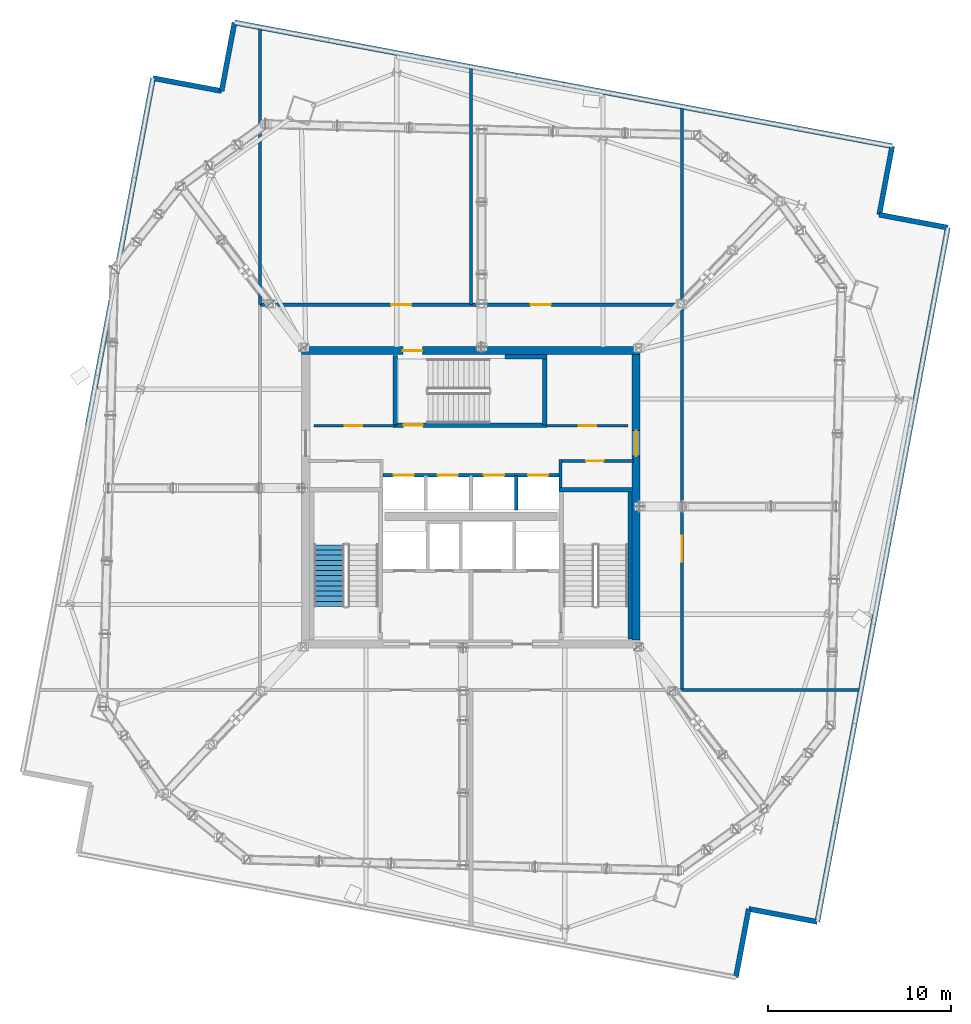
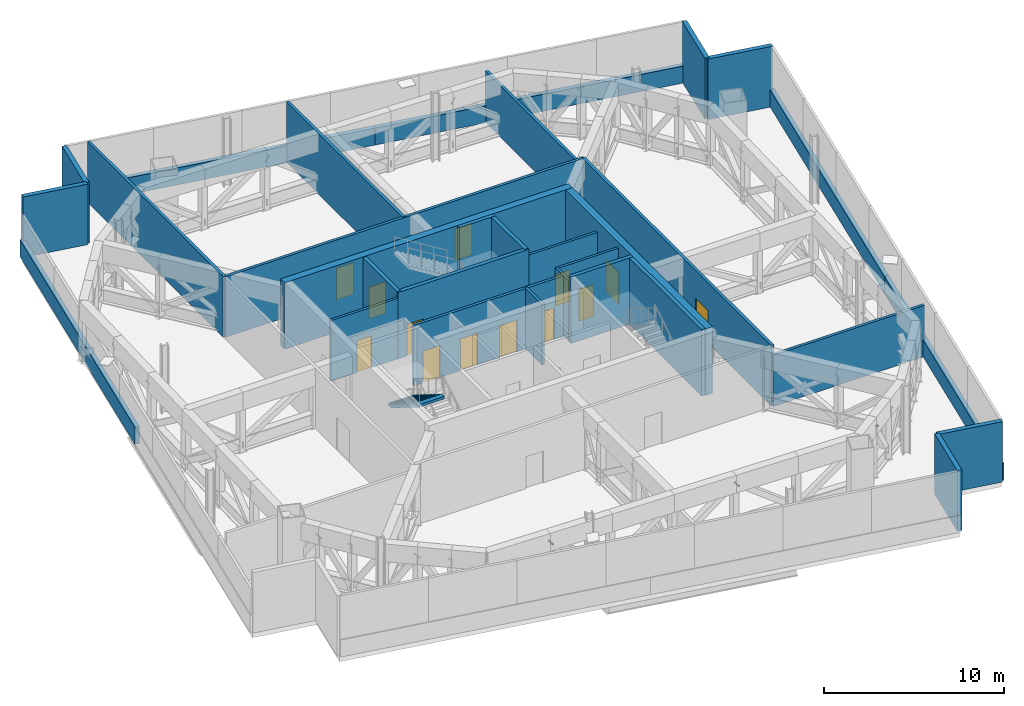
# One storey, part 11 of 15: 31 walls, 13 doors, 1 stair flight, 13 openings, 1 element without a shape of its own.
"""IFC4 building model written with IfcOpenShell, lengths in metres."""

from ifc_helpers import new_model, si_unit, direction, frame, frame_2d, origin, place, context, subcontext, project, spatial, polyline, rectangle, outline, extrude, material, layer, layer_set, type_object, element, fill, aggregate, save


model = new_model("IFC4")

# Units and contexts
model_context = context("Model", 3, precision=1e-05, world=origin(), true_north=direction((0.0, 1.0)))
body_context = subcontext(model_context, "Body", "Model", "MODEL_VIEW")
ifc_project = project(units=[si_unit("LENGTHUNIT", "METRE"), si_unit("AREAUNIT", "SQUARE_METRE"), si_unit("VOLUMEUNIT", "CUBIC_METRE"), si_unit("PLANEANGLEUNIT", "RADIAN"), si_unit("MASSUNIT", "GRAM", prefix="KILO")], contexts=[model_context])

# Site, building, storey
site_placement = place(None, origin())
site = spatial("IfcSite", under=ifc_project, at=site_placement, CompositionType="ELEMENT")
building_placement = place(site_placement, origin())
building = spatial("IfcBuilding", under=site, at=building_placement, Name="Haldenkirk Collegiate Tower", CompositionType="ELEMENT")
storey_placement = place(building_placement, frame((0.0, 0.0, 293.699951171875)))
storey = spatial("IfcBuildingStorey", under=building, at=storey_placement, Name="L74", CompositionType="ELEMENT", Elevation=293.699951171875)

# Wall, opening, door
ifc_material_1 = material(Name="Concrete f'c 55 MPa", Category="concrete")
ifc_layer_1 = layer(ifc_material_1, 0.449951171875)
ifc_layer_set_1 = layer_set([ifc_layer_1], Name="Concrete f'c 55 MPa")
wall_type_1 = type_object("IfcWallType", Name="WL-CORE-450", PredefinedType="SHEAR", material=ifc_layer_set_1)
wall_1_placement = place(storey_placement, frame((26.77490234375, 34.0, 0.0), z_axis=(0.0, 0.0, 1.0), x_axis=(1.0, 0.0, 0.0)))
wall_1 = element("IfcWall", 1, at=wall_1_placement, inside=storey, type_object=wall_type_1, Name="L74 central core shear wall N", PredefinedType="SHEAR", context=body_context, shape_type="SweptSolid", body=[
    extrude(rectangle(XDim=18.4501953125, YDim=0.449951171875, at=frame_2d((9.22509765625, 0.0))), origin(), (0.0, 0.0, 1.0), 4.5),
])
opening_1_placement = place(wall_1_placement, frame((5.52001953125, 0.0, 0.0)))
opening_1 = element("IfcOpeningElement", 2, at=opening_1_placement, cuts=wall_1, Name="Opening D-01", PredefinedType="OPENING", context=body_context, shape_type="SweptSolid", body=[
    extrude(rectangle(XDim=1.050048828125, YDim=2.14990234375, at=frame_2d((0.52490234375, 1.074951171875))), frame((0.0, 0.23486328125, 0.0), z_axis=(0.0, -1.0, 0.0), x_axis=(1.0, 0.0, 0.0)), (0.0, 0.0, 1.0), 0.469970703125),
])
ifc_material_2 = material(Name="Galvanized fire-rated hollow steel door", Category="steel")
ifc_layer_2 = layer(ifc_material_2, 0.06005859375)
ifc_layer_set_2 = layer_set([ifc_layer_2], Name="Galvanized fire-rated hollow steel door")
door_type_1 = type_object("IfcDoorType", Name="DR-STAIR-FD90-1050", OperationType="NOTDEFINED", PredefinedType="DOOR", material=ifc_layer_set_2)
door_1_placement = place(opening_1_placement, origin())
door_1 = element("IfcDoor", 3, at=door_1_placement, inside=storey, type_object=door_type_1, Name="L74 north plant corridor Stair 3 door", OperationType="SINGLE_SWING_LEFT", OverallHeight=2.14990234375, OverallWidth=1.050048828125, PredefinedType="DOOR", context=body_context, shape_type="SweptSolid", body=[
    extrude(rectangle(XDim=1.050048828125, YDim=2.14990234375, at=frame_2d((0.52490234375, 1.074951171875))), frame((0.0, 0.02490234375, 0.0), z_axis=(0.0, -1.0, 0.0), x_axis=(1.0, 0.0, 0.0)), (0.0, 0.0, 1.0), 0.050048828125),
])
fill(opening_1, door_1)

wall_2_placement = place(storey_placement, frame((45.0, 18.22509765625, 0.0), z_axis=(0.0, 0.0, 1.0), x_axis=(0.0, 1.0, 0.0)))
wall_2 = element("IfcWall", 4, at=wall_2_placement, inside=storey, type_object=wall_type_1, Name="L74 central core shear wall E", PredefinedType="SHEAR", context=body_context, shape_type="SweptSolid", body=[
    extrude(rectangle(XDim=15.5498046875, YDim=0.449951171875, at=frame_2d((7.77490234375, 0.0))), origin(), (0.0, 0.0, 1.0), 4.5),
])
opening_2_placement = place(wall_2_placement, frame((10.014892578125, 0.0, 0.0)))
opening_2 = element("IfcOpeningElement", 5, at=opening_2_placement, cuts=wall_2, Name="Opening D-03", PredefinedType="OPENING", context=body_context, shape_type="SweptSolid", body=[
    extrude(rectangle(XDim=1.39990234375, YDim=2.199951171875, at=frame_2d((0.699951171875, 1.10009765625))), frame((0.0, 0.23486328125, 0.0), z_axis=(0.0, -1.0, 0.0), x_axis=(1.0, 0.0, 0.0)), (0.0, 0.0, 1.0), 0.469970703125),
])
ifc_layer_3 = layer(ifc_material_2, 0.06005859375)
ifc_layer_set_3 = layer_set([ifc_layer_3], Name="Galvanized fire-rated hollow steel door")
door_type_2 = type_object("IfcDoorType", Name="DR-LOBBY-FD90-1400", OperationType="NOTDEFINED", PredefinedType="DOOR", material=ifc_layer_set_3)
door_2_placement = place(opening_2_placement, origin())
door_2 = element("IfcDoor", 6, at=door_2_placement, inside=storey, type_object=door_type_2, Name="L74 east lift lobby portal", OperationType="DOUBLE_DOOR_SINGLE_SWING", OverallHeight=2.199951171875, OverallWidth=1.39990234375, PredefinedType="DOOR", context=body_context, shape_type="SweptSolid", body=[
    extrude(rectangle(XDim=1.39990234375, YDim=2.199951171875, at=frame_2d((0.699951171875, 1.10009765625))), frame((0.0, 0.02490234375, 0.0), z_axis=(0.0, -1.0, 0.0), x_axis=(1.0, 0.0, 0.0)), (0.0, 0.0, 1.0), 0.050048828125),
])
fill(opening_2, door_2)

# Walls
ifc_material_3 = material(Name="Precast concrete f'c 40 MPa", Category="concrete")
ifc_layer_4 = layer(ifc_material_3, 0.280029296875)
ifc_layer_set_4 = layer_set([ifc_layer_4], Name="Precast concrete f'c 40 MPa")
wall_type_2 = type_object("IfcWallType", Name="WL-EXT-PLT-280", PredefinedType="STANDARD", material=ifc_layer_set_4)
for number, where, z_axis, x_axis, name in (
    (7, (61.989501953125, 40.7001953125, 0.0), (0.0, 0.0, 1.0), (-0.184810744713, -0.982774129003, 0.0), "L74 plant room precast spandrel 01A"),
    (8, (58.431884765625, 21.78173828125, 0.0), (0.0, 0.0, 1.0), (-0.184810744713, -0.982774129003, 0.0), "L74 plant room precast spandrel 01B"),
):
    element("IfcWall", number, at=place(storey_placement, frame(where, z_axis=z_axis, x_axis=x_axis)), inside=storey, type_object=wall_type_2, Name=name, PredefinedType="STANDARD", context=body_context, shape_type="SweptSolid", body=[
        extrude(rectangle(XDim=19.25, YDim=0.280029296875, at=frame_2d((9.625, 0.0))), origin(), (0.0, 0.0, 1.0), 1.150146484375),
    ])
for number, where, z_axis, x_axis, name in (
    (9, (58.2548828125, 41.40234375, 0.0), (0.0, 0.0, 1.0), (0.982781152247, -0.184773393075, 0.0), "L74 plant corner precast wall 02"),
    (10, (58.95703125, 45.136962890625, 0.0), (0.0, 0.0, 1.0), (-0.184773393075, -0.982781152247, 0.0), "L74 plant corner precast wall 03"),
):
    element("IfcWall", number, at=place(storey_placement, frame(where, z_axis=z_axis, x_axis=x_axis)), inside=storey, type_object=wall_type_2, Name=name, PredefinedType="STANDARD", context=body_context, shape_type="SweptSolid", body=[
        extrude(rectangle(XDim=3.800048828125, YDim=0.280029296875, at=frame_2d((1.89990234375, 0.0))), origin(), (0.0, 0.0, 1.0), 4.10009765625),
    ])
for number, where, z_axis, x_axis, name in (
    (11, (23.1103515625, 51.8779296875, 0.0), (0.0, 0.0, 1.0), (0.98277293252, -0.184817107178, 0.0), "L74 plant room precast spandrel 04A"),
    (12, (41.03369140625, 48.50732421875, 0.0), (0.0, 0.0, 1.0), (0.982775363915, -0.184804177662, 0.0), "L74 plant room precast spandrel 04B"),
):
    element("IfcWall", number, at=place(storey_placement, frame(where, z_axis=z_axis, x_axis=x_axis)), inside=storey, type_object=wall_type_2, Name=name, PredefinedType="STANDARD", context=body_context, shape_type="SweptSolid", body=[
        extrude(rectangle(XDim=18.237548828125, YDim=0.280029296875, at=frame_2d((9.11865234375, 0.0))), origin(), (0.0, 0.0, 1.0), 1.150146484375),
    ])
for number, where, z_axis, x_axis, name in (
    (13, (22.408203125, 48.143310546875, 0.0), (0.0, 0.0, 1.0), (0.184773393075, 0.982781152247, 0.0), "L74 plant corner precast wall 05"),
    (14, (18.673583984375, 48.845703125, 0.0), (0.0, 0.0, 1.0), (0.982769483759, -0.184835445171, 0.0), "L74 plant corner precast wall 06"),
):
    element("IfcWall", number, at=place(storey_placement, frame(where, z_axis=z_axis, x_axis=x_axis)), inside=storey, type_object=wall_type_2, Name=name, PredefinedType="STANDARD", context=body_context, shape_type="SweptSolid", body=[
        extrude(rectangle(XDim=3.800048828125, YDim=0.280029296875, at=frame_2d((1.89990234375, 0.0))), origin(), (0.0, 0.0, 1.0), 4.10009765625),
    ])
wall_3_placement = place(storey_placement, frame((15.1162109375, 29.92724609375, 0.0), z_axis=(0.0, 0.0, 1.0), x_axis=(0.184798495251, 0.982776432437, 0.0)))
element("IfcWall", 15, at=wall_3_placement, inside=storey, type_object=wall_type_2, Name="L74 plant room precast spandrel 07B", PredefinedType="STANDARD", context=body_context, shape_type="SweptSolid", body=[
    extrude(rectangle(XDim=19.25, YDim=0.280029296875, at=frame_2d((9.625, 0.0))), origin(), (0.0, 0.0, 1.0), 1.150146484375),
])
for number, where, z_axis, x_axis, name in (
    (16, (51.1396484375, 3.565673828125, 0.0), (0.0, 0.0, 1.0), (-0.184773393075, -0.982781152247, 0.0), "L74 plant corner precast wall 11"),
    (17, (54.874267578125, 2.86328125, 0.0), (0.0, 0.0, 1.0), (-0.982769483759, 0.184835445171, 0.0), "L74 plant corner precast wall 12"),
):
    element("IfcWall", number, at=place(storey_placement, frame(where, z_axis=z_axis, x_axis=x_axis)), inside=storey, type_object=wall_type_2, Name=name, PredefinedType="STANDARD", context=body_context, shape_type="SweptSolid", body=[
        extrude(rectangle(XDim=3.800048828125, YDim=0.280029296875, at=frame_2d((1.89990234375, 0.0))), origin(), (0.0, 0.0, 1.0), 4.10009765625),
    ])

# Wall, opening, door
ifc_material_4 = material(Name="Acoustic fire-rated gypsum partition", Category="concrete")
ifc_layer_5 = layer(ifc_material_4, 0.159912109375)
ifc_layer_set_5 = layer_set([ifc_layer_5], Name="Acoustic fire-rated gypsum partition")
wall_type_3 = type_object("IfcWallType", Name="WL-INT-CORR-160", PredefinedType="PARTITIONING", material=ifc_layer_set_5)
wall_4_placement = place(storey_placement, frame((40.800048828125, 27.97998046875, 0.0), z_axis=(0.0, 0.0, 1.0), x_axis=(1.0, 0.0, 0.0)))
wall_4 = element("IfcWall", 18, at=wall_4_placement, inside=storey, type_object=wall_type_3, Name="L74 interior partition IW-L74-VCSE-N", PredefinedType="PARTITIONING", context=body_context, shape_type="SweptSolid", body=[
    extrude(rectangle(XDim=4.050048828125, YDim=0.159912109375, at=frame_2d((2.02490234375, 0.0))), origin(), (0.0, 0.0, 1.0), 4.10009765625),
])
opening_3_placement = place(wall_4_placement, frame((1.47509765625, 0.0, 0.0)))
opening_3 = element("IfcOpeningElement", 19, at=opening_3_placement, cuts=wall_4, Name="Opening D-10", PredefinedType="OPENING", context=body_context, shape_type="SweptSolid", body=[
    extrude(rectangle(XDim=0.949951171875, YDim=2.14990234375, at=frame_2d((0.47509765625, 1.074951171875))), frame((0.0, 0.08984375, 0.0), z_axis=(0.0, -1.0, 0.0), x_axis=(1.0, 0.0, 0.0)), (0.0, 0.0, 1.0), 0.179931640625),
])
ifc_material_5 = material(Name="Solid-core architectural oak fire door", Category="wood")
ifc_layer_6 = layer(ifc_material_5, 0.06005859375)
ifc_layer_set_6 = layer_set([ifc_layer_6], Name="Solid-core architectural oak fire door")
door_type_3 = type_object("IfcDoorType", Name="DR-INT-FD60-950", OperationType="NOTDEFINED", PredefinedType="DOOR", material=ifc_layer_set_6)
door_3_placement = place(opening_3_placement, origin())
door_3 = element("IfcDoor", 20, at=door_3_placement, inside=storey, type_object=door_type_3, Name="L74 core mechanical store door", OperationType="SINGLE_SWING_RIGHT", OverallHeight=2.14990234375, OverallWidth=0.949951171875, PredefinedType="DOOR", context=body_context, shape_type="SweptSolid", body=[
    extrude(rectangle(XDim=0.949951171875, YDim=2.14990234375, at=frame_2d((0.47509765625, 1.074951171875))), frame((0.0, 0.02490234375, 0.0), z_axis=(0.0, -1.0, 0.0), x_axis=(1.0, 0.0, 0.0)), (0.0, 0.0, 1.0), 0.050048828125),
])
fill(opening_3, door_3)

# Wall
wall_5_placement = place(storey_placement, frame((40.8798828125, 26.5400390625, 0.0), z_axis=(0.0, 0.0, 1.0), x_axis=(0.0, 1.0, 0.0)))
element("IfcWall", 21, at=wall_5_placement, inside=storey, type_object=wall_type_3, Name="L74 interior partition IW-L74-VCSE-W", PredefinedType="PARTITIONING", context=body_context, shape_type="SweptSolid", body=[
    extrude(rectangle(XDim=1.510009765625, YDim=0.159912109375, at=frame_2d((0.7548828125, 0.0))), origin(), (0.0, 0.0, 1.0), 4.10009765625),
])

# Wall, opening, door
wall_6_placement = place(storey_placement, frame((27.449951171875, 29.89990234375, 0.0), z_axis=(0.0, 0.0, 1.0), x_axis=(1.0, 0.0, 0.0)))
wall_6 = element("IfcWall", 22, at=wall_6_placement, inside=storey, type_object=wall_type_3, Name="L74 interior partition IW-L74-PLS", PredefinedType="PARTITIONING", context=body_context, shape_type="SweptSolid", body=[
    extrude(rectangle(XDim=4.429931640625, YDim=0.159912109375, at=frame_2d((2.21484375, 0.0))), origin(), (0.0, 0.0, 1.0), 4.10009765625),
])
opening_4_placement = place(wall_6_placement, frame((1.675048828125, 0.0, 0.0)))
opening_4 = element("IfcOpeningElement", 23, at=opening_4_placement, cuts=wall_6, Name="Opening D-10", PredefinedType="OPENING", context=body_context, shape_type="SweptSolid", body=[
    extrude(rectangle(XDim=0.949951171875, YDim=2.14990234375, at=frame_2d((0.47509765625, 1.074951171875))), frame((0.0, 0.08984375, 0.0), z_axis=(0.0, -1.0, 0.0), x_axis=(1.0, 0.0, 0.0)), (0.0, 0.0, 1.0), 0.179931640625),
])
door_4_placement = place(opening_4_placement, origin())
door_4 = element("IfcDoor", 24, at=door_4_placement, inside=storey, type_object=door_type_3, Name="L74 reclaimed plant store door", OperationType="SINGLE_SWING_LEFT", OverallHeight=2.14990234375, OverallWidth=0.949951171875, PredefinedType="DOOR", context=body_context, shape_type="SweptSolid", body=[
    extrude(rectangle(XDim=0.949951171875, YDim=2.14990234375, at=frame_2d((0.47509765625, 1.074951171875))), frame((0.0, 0.02490234375, 0.0), z_axis=(0.0, -1.0, 0.0), x_axis=(1.0, 0.0, 0.0)), (0.0, 0.0, 1.0), 0.050048828125),
])
fill(opening_4, door_4)

wall_7_placement = place(storey_placement, frame((40.1201171875, 29.89990234375, 0.0), z_axis=(0.0, 0.0, 1.0), x_axis=(1.0, 0.0, 0.0)))
wall_7 = element("IfcWall", 25, at=wall_7_placement, inside=storey, type_object=wall_type_3, Name="L74 interior partition IW-L74-PMS", PredefinedType="PARTITIONING", context=body_context, shape_type="SweptSolid", body=[
    extrude(rectangle(XDim=4.429931640625, YDim=0.159912109375, at=frame_2d((2.21484375, 0.0))), origin(), (0.0, 0.0, 1.0), 4.10009765625),
])
opening_5_placement = place(wall_7_placement, frame((1.7548828125, 0.0, 0.0)))
opening_5 = element("IfcOpeningElement", 26, at=opening_5_placement, cuts=wall_7, Name="Opening D-10", PredefinedType="OPENING", context=body_context, shape_type="SweptSolid", body=[
    extrude(rectangle(XDim=0.949951171875, YDim=2.14990234375, at=frame_2d((0.47509765625, 1.074951171875))), frame((0.0, 0.08984375, 0.0), z_axis=(0.0, -1.0, 0.0), x_axis=(1.0, 0.0, 0.0)), (0.0, 0.0, 1.0), 0.179931640625),
])
door_5_placement = place(opening_5_placement, origin())
door_5 = element("IfcDoor", 27, at=door_5_placement, inside=storey, type_object=door_type_3, Name="L74 east plant store door", OperationType="SINGLE_SWING_RIGHT", OverallHeight=2.14990234375, OverallWidth=0.949951171875, PredefinedType="DOOR", context=body_context, shape_type="SweptSolid", body=[
    extrude(rectangle(XDim=0.949951171875, YDim=2.14990234375, at=frame_2d((0.47509765625, 1.074951171875))), frame((0.0, 0.02490234375, 0.0), z_axis=(0.0, -1.0, 0.0), x_axis=(1.0, 0.0, 0.0)), (0.0, 0.0, 1.0), 0.050048828125),
])
fill(opening_5, door_5)

# Wall, openings, doors
ifc_material_6 = material(Name="Fire-rated gypsum shaftboard assembly", Category="concrete")
ifc_layer_7 = layer(ifc_material_6, 0.179931640625)
ifc_layer_set_7 = layer_set([ifc_layer_7], Name="Fire-rated gypsum shaftboard assembly")
wall_type_4 = type_object("IfcWallType", Name="WL-INT-SHAFT-180", PredefinedType="PARTITIONING", material=ifc_layer_set_7)
wall_8_placement = place(storey_placement, frame((31.199951171875, 27.199951171875, 0.0), z_axis=(0.0, 0.0, 1.0), x_axis=(1.0, 0.0, 0.0)))
wall_8 = element("IfcWall", 28, at=wall_8_placement, inside=storey, type_object=wall_type_4, Name="L74 interior partition IW-L74-PHN", PredefinedType="PARTITIONING", context=body_context, shape_type="SweptSolid", body=[
    extrude(rectangle(XDim=9.60009765625, YDim=0.179931640625, at=frame_2d((4.800048828125, 0.0))), origin(), (0.0, 0.0, 1.0), 4.10009765625),
])
opening_6_placement = place(wall_8_placement, frame((0.590087890625, 0.0, 0.0)))
opening_6 = element("IfcOpeningElement", 29, at=opening_6_placement, cuts=wall_8, Name="Opening LD-11", PredefinedType="OPENING", context=body_context, shape_type="SweptSolid", body=[
    extrude(rectangle(XDim=1.10009765625, YDim=2.14990234375, at=frame_2d((0.550048828125, 1.074951171875))), frame((0.0, 0.099853515625, 0.0), z_axis=(0.0, -1.0, 0.0), x_axis=(1.0, 0.0, 0.0)), (0.0, 0.0, 1.0), 0.199951171875),
])
opening_7_placement = place(wall_8_placement, frame((2.989990234375, 0.0, 0.0)))
opening_7 = element("IfcOpeningElement", 30, at=opening_7_placement, cuts=wall_8, Name="Opening LD-11", PredefinedType="OPENING", context=body_context, shape_type="SweptSolid", body=[
    extrude(rectangle(XDim=1.10009765625, YDim=2.14990234375, at=frame_2d((0.550048828125, 1.074951171875))), frame((0.0, 0.099853515625, 0.0), z_axis=(0.0, -1.0, 0.0), x_axis=(1.0, 0.0, 0.0)), (0.0, 0.0, 1.0), 0.199951171875),
])
opening_8_placement = place(wall_8_placement, frame((5.510009765625, 0.0, 0.0)))
opening_8 = element("IfcOpeningElement", 31, at=opening_8_placement, cuts=wall_8, Name="Opening LD-11", PredefinedType="OPENING", context=body_context, shape_type="SweptSolid", body=[
    extrude(rectangle(XDim=1.10009765625, YDim=2.14990234375, at=frame_2d((0.550048828125, 1.074951171875))), frame((0.0, 0.099853515625, 0.0), z_axis=(0.0, -1.0, 0.0), x_axis=(1.0, 0.0, 0.0)), (0.0, 0.0, 1.0), 0.199951171875),
])
opening_9_placement = place(wall_8_placement, frame((7.909912109375, 0.0, 0.0)))
opening_9 = element("IfcOpeningElement", 32, at=opening_9_placement, cuts=wall_8, Name="Opening LD-11", PredefinedType="OPENING", context=body_context, shape_type="SweptSolid", body=[
    extrude(rectangle(XDim=1.10009765625, YDim=2.14990234375, at=frame_2d((0.550048828125, 1.074951171875))), frame((0.0, 0.099853515625, 0.0), z_axis=(0.0, -1.0, 0.0), x_axis=(1.0, 0.0, 0.0)), (0.0, 0.0, 1.0), 0.199951171875),
])
ifc_material_7 = material(Name="Brushed architectural stainless steel", Category="steel")
ifc_layer_8 = layer(ifc_material_7, 0.06005859375)
ifc_layer_set_8 = layer_set([ifc_layer_8], Name="Brushed architectural stainless steel")
door_type_4 = type_object("IfcDoorType", Name="LD-PASS-1100", OperationType="NOTDEFINED", PredefinedType="DOOR", material=ifc_layer_set_8)
door_6_placement = place(opening_6_placement, origin())
door_6 = element("IfcDoor", 33, at=door_6_placement, inside=storey, type_object=door_type_4, Name="L74 Elevator PH1 sliding landing door", OperationType="SLIDING_TO_LEFT", OverallHeight=2.14990234375, OverallWidth=1.10009765625, PredefinedType="DOOR", context=body_context, shape_type="SweptSolid", body=[
    extrude(rectangle(XDim=1.10009765625, YDim=2.14990234375, at=frame_2d((0.550048828125, 1.074951171875))), frame((0.0, 0.02490234375, 0.0), z_axis=(0.0, -1.0, 0.0), x_axis=(1.0, 0.0, 0.0)), (0.0, 0.0, 1.0), 0.050048828125),
])
fill(opening_6, door_6)
door_7_placement = place(opening_7_placement, origin())
door_7 = element("IfcDoor", 34, at=door_7_placement, inside=storey, type_object=door_type_4, Name="L74 Elevator PH2 sliding landing door", OperationType="SLIDING_TO_LEFT", OverallHeight=2.14990234375, OverallWidth=1.10009765625, PredefinedType="DOOR", context=body_context, shape_type="SweptSolid", body=[
    extrude(rectangle(XDim=1.10009765625, YDim=2.14990234375, at=frame_2d((0.550048828125, 1.074951171875))), frame((0.0, 0.02490234375, 0.0), z_axis=(0.0, -1.0, 0.0), x_axis=(1.0, 0.0, 0.0)), (0.0, 0.0, 1.0), 0.050048828125),
])
fill(opening_7, door_7)
door_8_placement = place(opening_8_placement, origin())
door_8 = element("IfcDoor", 35, at=door_8_placement, inside=storey, type_object=door_type_4, Name="L74 Elevator PH3 sliding landing door", OperationType="SLIDING_TO_LEFT", OverallHeight=2.14990234375, OverallWidth=1.10009765625, PredefinedType="DOOR", context=body_context, shape_type="SweptSolid", body=[
    extrude(rectangle(XDim=1.10009765625, YDim=2.14990234375, at=frame_2d((0.550048828125, 1.074951171875))), frame((0.0, 0.02490234375, 0.0), z_axis=(0.0, -1.0, 0.0), x_axis=(1.0, 0.0, 0.0)), (0.0, 0.0, 1.0), 0.050048828125),
])
fill(opening_8, door_8)
door_9_placement = place(opening_9_placement, origin())
door_9 = element("IfcDoor", 36, at=door_9_placement, inside=storey, type_object=door_type_4, Name="L74 Elevator PH4 sliding landing door", OperationType="SLIDING_TO_LEFT", OverallHeight=2.14990234375, OverallWidth=1.10009765625, PredefinedType="DOOR", context=body_context, shape_type="SweptSolid", body=[
    extrude(rectangle(XDim=1.10009765625, YDim=2.14990234375, at=frame_2d((0.550048828125, 1.074951171875))), frame((0.0, 0.02490234375, 0.0), z_axis=(0.0, -1.0, 0.0), x_axis=(1.0, 0.0, 0.0)), (0.0, 0.0, 1.0), 0.050048828125),
])
fill(opening_9, door_9)

# Wall
wall_9_placement = place(storey_placement, frame((38.4599609375, 25.300048828125, 0.0), z_axis=(0.0, 0.0, 1.0), x_axis=(0.0, 1.0, 0.0)))
element("IfcWall", 37, at=wall_9_placement, inside=storey, type_object=wall_type_4, Name="L74 interior partition IW-L74-PHV3", PredefinedType="PARTITIONING", context=body_context, shape_type="SweptSolid", body=[
    extrude(rectangle(XDim=1.89990234375, YDim=0.179931640625, at=frame_2d((0.949951171875, 0.0))), origin(), (0.0, 0.0, 1.0), 4.10009765625),
])

# Wall, openings, doors
wall_10_placement = place(storey_placement, frame((24.5, 36.5, 0.0), z_axis=(0.0, 0.0, 1.0), x_axis=(1.0, 0.0, 0.0)))
wall_10 = element("IfcWall", 38, at=wall_10_placement, inside=storey, type_object=wall_type_4, Name="L74 interior partition IW-L74-CN", PredefinedType="PARTITIONING", context=body_context, shape_type="SweptSolid", body=[
    extrude(rectangle(XDim=23.0, YDim=0.179931640625, at=frame_2d((11.5, 0.0))), origin(), (0.0, 0.0, 1.0), 4.10009765625),
])
opening_10_placement = place(wall_10_placement, frame((7.14990234375, 0.0, 0.0)))
opening_10 = element("IfcOpeningElement", 39, at=opening_10_placement, cuts=wall_10, Name="Opening D-02", PredefinedType="OPENING", context=body_context, shape_type="SweptSolid", body=[
    extrude(rectangle(XDim=1.10009765625, YDim=2.14990234375, at=frame_2d((0.550048828125, 1.074951171875))), frame((0.0, 0.099853515625, 0.0), z_axis=(0.0, -1.0, 0.0), x_axis=(1.0, 0.0, 0.0)), (0.0, 0.0, 1.0), 0.199951171875),
])
opening_11_placement = place(wall_10_placement, frame((14.75, 0.0, 0.0)))
opening_11 = element("IfcOpeningElement", 40, at=opening_11_placement, cuts=wall_10, Name="Opening D-02", PredefinedType="OPENING", context=body_context, shape_type="SweptSolid", body=[
    extrude(rectangle(XDim=1.10009765625, YDim=2.14990234375, at=frame_2d((0.550048828125, 1.074951171875))), frame((0.0, 0.099853515625, 0.0), z_axis=(0.0, -1.0, 0.0), x_axis=(1.0, 0.0, 0.0)), (0.0, 0.0, 1.0), 0.199951171875),
])
ifc_layer_9 = layer(ifc_material_2, 0.06005859375)
ifc_layer_set_9 = layer_set([ifc_layer_9], Name="Galvanized fire-rated hollow steel door")
door_type_5 = type_object("IfcDoorType", Name="DR-STAIR-FD90-1100", OperationType="NOTDEFINED", PredefinedType="DOOR", material=ifc_layer_set_9)
door_10_placement = place(opening_10_placement, origin())
door_10 = element("IfcDoor", 41, at=door_10_placement, inside=storey, type_object=door_type_5, Name="L74 switchgear door", OperationType="SINGLE_SWING_LEFT", OverallHeight=2.14990234375, OverallWidth=1.10009765625, PredefinedType="DOOR", context=body_context, shape_type="SweptSolid", body=[
    extrude(rectangle(XDim=1.10009765625, YDim=2.14990234375, at=frame_2d((0.550048828125, 1.074951171875))), frame((0.0, 0.02490234375, 0.0), z_axis=(0.0, -1.0, 0.0), x_axis=(1.0, 0.0, 0.0)), (0.0, 0.0, 1.0), 0.050048828125),
])
fill(opening_10, door_10)
door_11_placement = place(opening_11_placement, origin())
door_11 = element("IfcDoor", 42, at=door_11_placement, inside=storey, type_object=door_type_5, Name="L74 pump room door", OperationType="SINGLE_SWING_RIGHT", OverallHeight=2.14990234375, OverallWidth=1.10009765625, PredefinedType="DOOR", context=body_context, shape_type="SweptSolid", body=[
    extrude(rectangle(XDim=1.10009765625, YDim=2.14990234375, at=frame_2d((0.550048828125, 1.074951171875))), frame((0.0, 0.02490234375, 0.0), z_axis=(0.0, -1.0, 0.0), x_axis=(1.0, 0.0, 0.0)), (0.0, 0.0, 1.0), 0.050048828125),
])
fill(opening_11, door_11)

# Wall, opening, door
wall_11_placement = place(storey_placement, frame((47.5, 15.5, 0.0), z_axis=(0.0, 0.0, 1.0), x_axis=(0.0, 1.0, 0.0)))
wall_11 = element("IfcWall", 43, at=wall_11_placement, inside=storey, type_object=wall_type_4, Name="L74 interior partition IW-L74-CE", PredefinedType="PARTITIONING", context=body_context, shape_type="SweptSolid", body=[
    extrude(rectangle(XDim=21.0, YDim=0.179931640625, at=frame_2d((10.5, 0.0))), origin(), (0.0, 0.0, 1.0), 4.10009765625),
])
opening_12_placement = place(wall_11_placement, frame((7.0, 0.0, 0.0)))
opening_12 = element("IfcOpeningElement", 44, at=opening_12_placement, cuts=wall_11, Name="Opening D-03", PredefinedType="OPENING", context=body_context, shape_type="SweptSolid", body=[
    extrude(rectangle(XDim=1.39990234375, YDim=2.199951171875, at=frame_2d((0.699951171875, 1.10009765625))), frame((0.0, 0.099853515625, 0.0), z_axis=(0.0, -1.0, 0.0), x_axis=(1.0, 0.0, 0.0)), (0.0, 0.0, 1.0), 0.199951171875),
])
door_12_placement = place(opening_12_placement, origin())
door_12 = element("IfcDoor", 45, at=door_12_placement, inside=storey, type_object=door_type_2, Name="L74 east plant door", OperationType="DOUBLE_DOOR_SINGLE_SWING", OverallHeight=2.199951171875, OverallWidth=1.39990234375, PredefinedType="DOOR", context=body_context, shape_type="SweptSolid", body=[
    extrude(rectangle(XDim=1.39990234375, YDim=2.199951171875, at=frame_2d((0.699951171875, 1.10009765625))), frame((0.0, 0.02490234375, 0.0), z_axis=(0.0, -1.0, 0.0), x_axis=(1.0, 0.0, 0.0)), (0.0, 0.0, 1.0), 0.050048828125),
])
fill(opening_12, door_12)

# Walls
wall_12_placement = place(storey_placement, frame((47.5, 15.5, 0.0), z_axis=(0.0, 0.0, 1.0), x_axis=(1.0, 0.0, 0.0)))
element("IfcWall", 46, at=wall_12_placement, inside=storey, type_object=wall_type_4, Name="L74 interior partition IW-L74-PLTE", PredefinedType="PARTITIONING", context=body_context, shape_type="SweptSolid", body=[
    extrude(rectangle(XDim=9.7099609375, YDim=0.179931640625, at=frame_2d((4.85498046875, 0.0))), origin(), (0.0, 0.0, 1.0), 3.47802734375),
])
wall_13_placement = place(storey_placement, frame((36.0, 36.5, 0.0), z_axis=(0.0, 0.0, 1.0), x_axis=(0.0, 1.0, 0.0)))
element("IfcWall", 47, at=wall_13_placement, inside=storey, type_object=wall_type_4, Name="L74 interior partition IW-L74-PLTN", PredefinedType="PARTITIONING", context=body_context, shape_type="SweptSolid", body=[
    extrude(rectangle(XDim=12.913330078125, YDim=0.179931640625, at=frame_2d((6.45654296875, 0.0))), origin(), (0.0, 0.0, 1.0), 4.10009765625),
])
wall_14_placement = place(storey_placement, frame((24.5, 36.5, 0.0), z_axis=(0.0, 0.0, 1.0), x_axis=(0.0, 1.0, 0.0)))
element("IfcWall", 48, at=wall_14_placement, inside=storey, type_object=wall_type_4, Name="L74 interior partition IW-L74-PLTNW", PredefinedType="PARTITIONING", context=body_context, shape_type="SweptSolid", body=[
    extrude(rectangle(XDim=15.075927734375, YDim=0.179931640625, at=frame_2d((7.5380859375, 0.0))), origin(), (0.0, 0.0, 1.0), 4.10009765625),
])
wall_15_placement = place(storey_placement, frame((47.5, 36.5, 0.0), z_axis=(0.0, 0.0, 1.0), x_axis=(0.0, 1.0, 0.0)))
element("IfcWall", 49, at=wall_15_placement, inside=storey, type_object=wall_type_4, Name="L74 interior partition IW-L74-PLTNE", PredefinedType="PARTITIONING", context=body_context, shape_type="SweptSolid", body=[
    extrude(rectangle(XDim=10.750732421875, YDim=0.179931640625, at=frame_2d((5.37548828125, 0.0))), origin(), (0.0, 0.0, 1.0), 3.47802734375),
])
ifc_layer_10 = layer(ifc_material_1, 0.239990234375)
ifc_layer_set_10 = layer_set([ifc_layer_10], Name="Concrete f'c 55 MPa")
wall_type_5 = type_object("IfcWallType", Name="WL-SHAFT-240", PredefinedType="SHEAR", material=ifc_layer_set_10)
wall_16_placement = place(storey_placement, frame((40.81005859375, 26.419921875, 0.0), z_axis=(0.0, 0.0, 1.0), x_axis=(1.0, 0.0, 0.0)))
element("IfcWall", 50, at=wall_16_placement, inside=storey, type_object=wall_type_5, Name="L74 stair shaft shear wall SW-L74-ST2N", PredefinedType="SHEAR", context=body_context, shape_type="SweptSolid", body=[
    extrude(rectangle(XDim=3.97998046875, YDim=0.239990234375, at=frame_2d((1.989990234375, 0.0))), origin(), (0.0, 0.0, 1.0), 4.5),
])
wall_17_placement = place(storey_placement, frame((44.669921875, 18.280029296875, 0.0), z_axis=(0.0, 0.0, 1.0), x_axis=(0.0, 1.0, 0.0)))
element("IfcWall", 51, at=wall_17_placement, inside=storey, type_object=wall_type_5, Name="L74 stair shaft shear wall SW-L74-ST2E", PredefinedType="SHEAR", context=body_context, shape_type="SweptSolid", body=[
    extrude(rectangle(XDim=8.260009765625, YDim=0.239990234375, at=frame_2d((4.1298828125, 0.0))), origin(), (0.0, 0.0, 1.0), 4.5),
])

# Wall, opening, door
wall_18_placement = place(storey_placement, frame((31.760009765625, 29.929931640625, 0.0), z_axis=(0.0, 0.0, 1.0), x_axis=(1.0, 0.0, 0.0)))
wall_18 = element("IfcWall", 52, at=wall_18_placement, inside=storey, type_object=wall_type_5, Name="L74 stair shaft shear wall SW-L74-ST3S", PredefinedType="SHEAR", context=body_context, shape_type="SweptSolid", body=[
    extrude(rectangle(XDim=8.3798828125, YDim=0.239990234375, at=frame_2d((4.18994140625, 0.0))), origin(), (0.0, 0.0, 1.0), 4.5),
])
opening_13_placement = place(wall_18_placement, frame((0.56494140625, 0.0, 0.0)))
opening_13 = element("IfcOpeningElement", 53, at=opening_13_placement, cuts=wall_18, Name="Opening D-01", PredefinedType="OPENING", context=body_context, shape_type="SweptSolid", body=[
    extrude(rectangle(XDim=1.050048828125, YDim=2.14990234375, at=frame_2d((0.52490234375, 1.074951171875))), frame((0.0, 0.1298828125, 0.0), z_axis=(0.0, -1.0, 0.0), x_axis=(1.0, 0.0, 0.0)), (0.0, 0.0, 1.0), 0.260009765625),
])
door_13_placement = place(opening_13_placement, origin())
door_13 = element("IfcDoor", 54, at=door_13_placement, inside=storey, type_object=door_type_1, Name="L74 lift lobby Stair 3 door", OperationType="SINGLE_SWING_LEFT", OverallHeight=2.14990234375, OverallWidth=1.050048828125, PredefinedType="DOOR", context=body_context, shape_type="SweptSolid", body=[
    extrude(rectangle(XDim=1.050048828125, YDim=2.14990234375, at=frame_2d((0.52490234375, 1.074951171875))), frame((0.0, 0.02490234375, 0.0), z_axis=(0.0, -1.0, 0.0), x_axis=(1.0, 0.0, 0.0)), (0.0, 0.0, 1.0), 0.050048828125),
])
fill(opening_13, door_13)

# Walls
wall_19_placement = place(storey_placement, frame((31.8798828125, 29.929931640625, 0.0), z_axis=(0.0, 0.0, 1.0), x_axis=(0.0, 1.0, 0.0)))
element("IfcWall", 55, at=wall_19_placement, inside=storey, type_object=wall_type_5, Name="L74 stair shaft shear wall SW-L74-ST3W", PredefinedType="SHEAR", context=body_context, shape_type="SweptSolid", body=[
    extrude(rectangle(XDim=3.7900390625, YDim=0.239990234375, at=frame_2d((1.89501953125, 0.0))), origin(), (0.0, 0.0, 1.0), 4.5),
])
wall_20_placement = place(storey_placement, frame((40.02001953125, 29.929931640625, 0.0), z_axis=(0.0, 0.0, 1.0), x_axis=(0.0, 1.0, 0.0)))
element("IfcWall", 56, at=wall_20_placement, inside=storey, type_object=wall_type_5, Name="L74 stair shaft shear wall SW-L74-ST3E", PredefinedType="SHEAR", context=body_context, shape_type="SweptSolid", body=[
    extrude(rectangle(XDim=3.85009765625, YDim=0.239990234375, at=frame_2d((1.925048828125, 0.0))), origin(), (0.0, 0.0, 1.0), 4.5),
])
wall_21_placement = place(storey_placement, frame((37.85009765625, 33.659912109375, 0.0), z_axis=(0.0, 0.0, 1.0), x_axis=(1.0, 0.0, 0.0)))
element("IfcWall", 57, at=wall_21_placement, inside=storey, type_object=wall_type_5, Name="L74 stair shaft shear wall SW-L74-ST3N", PredefinedType="SHEAR", context=body_context, shape_type="SweptSolid", body=[
    extrude(rectangle(XDim=2.289794921875, YDim=0.239990234375, at=frame_2d((1.14501953125, 0.0))), origin(), (0.0, 0.0, 1.0), 4.5),
])

# Stair, stair flight
ifc_material_8 = material(Name="Concrete f'c 40 MPa", Category="concrete")
stair_type = type_object("IfcStairType", Name="STR-DOGLEG-1650", PredefinedType="HALF_TURN_STAIR", material=ifc_material_8)
stair_placement = place(storey_placement, origin())
stair = element("IfcStair", 58, at=stair_placement, inside=storey, type_object=stair_type, Name="L74 Core Exit Stair ST-1", PredefinedType="HALF_TURN_STAIR")
stair_flight_type = type_object("IfcStairFlightType", Name="STF-FLIGHT-1650", PredefinedType="STRAIGHT", material=ifc_material_8)
stair_flight_placement = place(storey_placement, frame((28.27490234375, 23.409912109375, 2.25), z_axis=(0.0, 0.0, 1.0), x_axis=(0.0, -1.0, 0.0)))
stair_flight = element("IfcStairFlight", 59, at=stair_flight_placement, type_object=stair_flight_type, Name="ST-1 flight 2", NumberOfRisers=13, NumberOfTreads=12, PredefinedType="STRAIGHT", RiserHeight=0.173076923, TreadLength=0.28, context=body_context, shape_type="SweptSolid", body=[
    extrude(outline(polyline([(0.0, 0.0), (0.0, 0.173095703125), (0.280029296875, 0.173095703125), (0.280029296875, 0.34619140625), (0.56005859375, 0.34619140625), (0.56005859375, 0.519287109375), (0.840087890625, 0.519287109375), (0.840087890625, 0.6923828125), (1.1201171875, 0.6923828125), (1.1201171875, 0.865478515625), (1.39990234375, 0.865478515625), (1.39990234375, 1.03857421875), (1.679931640625, 1.03857421875), (1.679931640625, 1.21142578125), (1.9599609375, 1.21142578125), (1.9599609375, 1.384521484375), (2.239990234375, 1.384521484375), (2.239990234375, 1.5576171875), (2.52001953125, 1.5576171875), (2.52001953125, 1.730712890625), (2.800048828125, 1.730712890625), (2.800048828125, 1.90380859375), (3.080078125, 1.90380859375), (3.080078125, 2.076904296875), (3.360107421875, 2.076904296875), (3.360107421875, 2.25), (3.360107421875, 1.900634765625), (0.28515625, 0.0), (0.0, 0.0)])), frame((0.0, 0.824951171875, 0.0), z_axis=(0.0, -1.0, 0.0), x_axis=(1.0, 0.0, 0.0)), (0.0, 0.0, 1.0), 1.64990234375),
])
aggregate(stair, [stair_flight])

save(model, "model.ifc")
